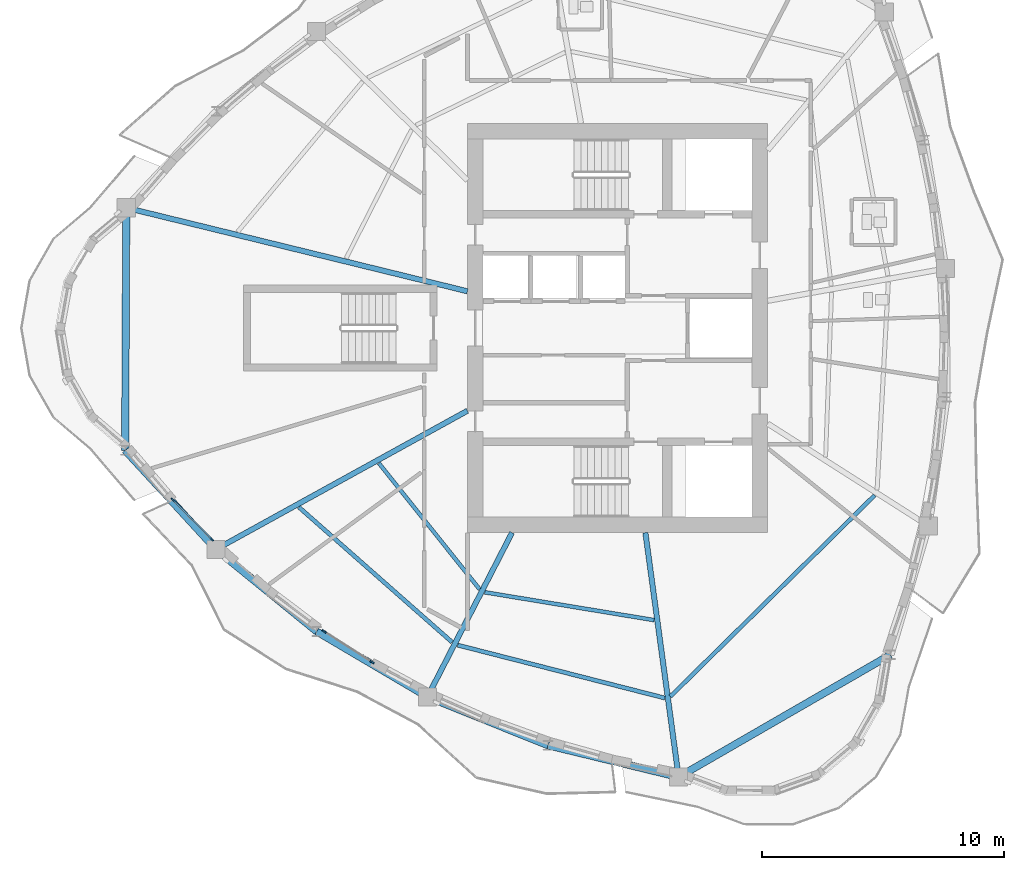
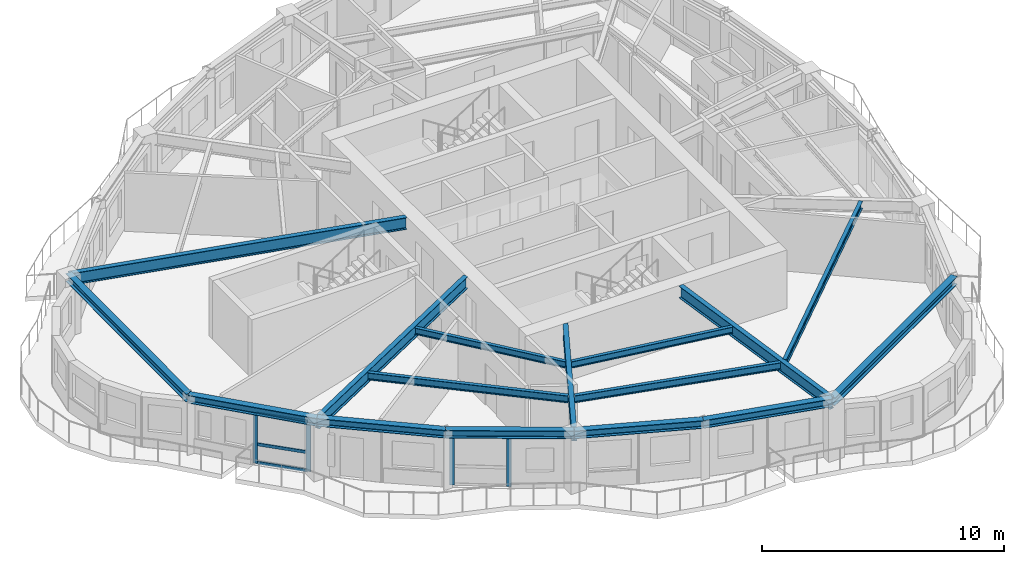
# One storey, part 2 of 13: 16 beams, 7 members, 2 elements without a shape of their own.
"""IFC4 building model written with IfcOpenShell, lengths in metres."""

from ifc_helpers import new_model, si_unit, direction, frame, origin, origin_2d, place, context, subcontext, project, spatial, rectangle, i_section, extrude, source, transform, mapped, material, layer, layer_set, material_profile, profile_set, type_object, element, aggregate, save


model = new_model("IFC4")

# Units and contexts
model_context = context("Model", 3, precision=1e-05, world=origin(), true_north=direction((0.0, 1.0)))
body_context = subcontext(model_context, "Body", "Model", "MODEL_VIEW")
ifc_project = project(units=[si_unit("LENGTHUNIT", "METRE"), si_unit("AREAUNIT", "SQUARE_METRE"), si_unit("VOLUMEUNIT", "CUBIC_METRE"), si_unit("PLANEANGLEUNIT", "RADIAN"), si_unit("MASSUNIT", "GRAM", prefix="KILO")], contexts=[model_context])

# Site, building, storey
site_placement = place(None, origin())
site = spatial("IfcSite", under=ifc_project, at=site_placement, CompositionType="ELEMENT")
building_placement = place(site_placement, origin())
building = spatial("IfcBuilding", under=site, at=building_placement, Name="Qafzar Sky-Pleat Residences", CompositionType="ELEMENT")
storey_placement = place(building_placement, frame((0.0, 0.0, 133.0)))
storey = spatial("IfcBuildingStorey", under=building, at=storey_placement, Name="L39", CompositionType="ELEMENT", Elevation=133.0)

# Beams
ifc_material_1 = material(Name="Steel S355", Category="steel")
ifc_material_profile_1 = material_profile(ifc_material_1, i_section(OverallWidth=0.300048828125, OverallDepth=0.39990234375, WebThickness=0.013427734375, FlangeThickness=0.02392578125, FilletRadius=0.027099609375, at=origin_2d()), Name="HEB 400")
ifc_profile_set_1 = profile_set([ifc_material_profile_1], Name="Steel S355")
beam_type_1 = type_object("IfcBeamType", Name="BM-SPAN-HEB400", PredefinedType="SPANDREL", material=ifc_profile_set_1)
shared_shape_1 = source(origin(), body_context, "Body", "SweptSolid", [
    extrude(i_section(OverallWidth=0.300048828125, OverallDepth=0.39990234375, WebThickness=0.013427734375, FlangeThickness=0.02392578125, FilletRadius=0.027099609375, at=origin_2d()), origin(), (0.0, 0.0, 1.0), 10.017822265625),
])
beam_1_placement = place(storey_placement, frame((10.064208984375, 30.967529296875, 2.748046875), z_axis=(-0.00482532827, -0.999988358036, 0.0), x_axis=(0.999988358036, -0.00482532827, 0.0)))
element("IfcBeam", 1, at=beam_1_placement, inside=storey, type_object=beam_type_1, Name="L39 Perimeter Spandrel Beam 1", PredefinedType="SPANDREL", context=body_context, shape_type="MappedRepresentation", body=[
    mapped(shared_shape_1, transform((0.0, 0.0, 0.0), x_axis=(1.0, 0.0, 0.0), y_axis=(0.0, 1.0, 0.0), z_axis=(0.0, 0.0, 1.0), scale=1.0)),
])
shared_shape_2 = source(origin(), body_context, "Body", "SweptSolid", [
    extrude(i_section(OverallWidth=0.300048828125, OverallDepth=0.39990234375, WebThickness=0.013427734375, FlangeThickness=0.02392578125, FilletRadius=0.027099609375, at=origin_2d()), origin(), (0.0, 0.0, 1.0), 5.548095703125),
])
beam_2_placement = place(storey_placement, frame((10.015869140625, 20.94970703125, 2.748046875), z_axis=(0.676115086254, -0.736796030214, 0.0), x_axis=(0.736796030214, 0.676115086254, 0.0)))
element("IfcBeam", 2, at=beam_2_placement, inside=storey, type_object=beam_type_1, Name="L39 Perimeter Spandrel Beam 2", PredefinedType="SPANDREL", context=body_context, shape_type="MappedRepresentation", body=[
    mapped(shared_shape_2, transform((0.0, 0.0, 0.0), x_axis=(1.0, 0.0, 0.0), y_axis=(0.0, 1.0, 0.0), z_axis=(0.0, 0.0, 1.0), scale=1.0)),
])
shared_shape_3 = source(origin(), body_context, "Body", "SweptSolid", [
    extrude(i_section(OverallWidth=0.300048828125, OverallDepth=0.39990234375, WebThickness=0.013427734375, FlangeThickness=0.02392578125, FilletRadius=0.027099609375, at=origin_2d()), origin(), (0.0, 0.0, 1.0), 5.36962890625),
])
beam_3_placement = place(storey_placement, frame((13.76708984375, 16.86181640625, 2.748046875), z_axis=(0.775001557848, -0.63195932253, 0.0), x_axis=(0.63195932253, 0.775001557848, 0.0)))
element("IfcBeam", 3, at=beam_3_placement, inside=storey, type_object=beam_type_1, Name="L39 Perimeter Spandrel Beam 3", PredefinedType="SPANDREL", context=body_context, shape_type="MappedRepresentation", body=[
    mapped(shared_shape_3, transform((0.0, 0.0, 0.0), x_axis=(1.0, 0.0, 0.0), y_axis=(0.0, 1.0, 0.0), z_axis=(0.0, 0.0, 1.0), scale=1.0)),
])
shared_shape_4 = source(origin(), body_context, "Body", "SweptSolid", [
    extrude(i_section(OverallWidth=0.300048828125, OverallDepth=0.39990234375, WebThickness=0.013427734375, FlangeThickness=0.02392578125, FilletRadius=0.027099609375, at=origin_2d()), origin(), (0.0, 0.0, 1.0), 5.30810546875),
])
beam_4_placement = place(storey_placement, frame((17.928466796875, 13.468505859375, 2.748046875), z_axis=(0.861171817652, -0.508313978247, 0.0), x_axis=(0.508313978247, 0.861171817652, 0.0)))
element("IfcBeam", 4, at=beam_4_placement, inside=storey, type_object=beam_type_1, Name="L39 Perimeter Spandrel Beam 4", PredefinedType="SPANDREL", context=body_context, shape_type="MappedRepresentation", body=[
    mapped(shared_shape_4, transform((0.0, 0.0, 0.0), x_axis=(1.0, 0.0, 0.0), y_axis=(0.0, 1.0, 0.0), z_axis=(0.0, 0.0, 1.0), scale=1.0)),
])
shared_shape_5 = source(origin(), body_context, "Body", "SweptSolid", [
    extrude(i_section(OverallWidth=0.300048828125, OverallDepth=0.39990234375, WebThickness=0.013427734375, FlangeThickness=0.02392578125, FilletRadius=0.027099609375, at=origin_2d()), origin(), (0.0, 0.0, 1.0), 5.369384765625),
])
beam_5_placement = place(storey_placement, frame((22.499755859375, 10.770263671875, 2.748046875), z_axis=(0.927785221824, -0.373114703763, 0.0), x_axis=(0.373114703763, 0.927785221824, 0.0)))
element("IfcBeam", 5, at=beam_5_placement, inside=storey, type_object=beam_type_1, Name="L39 Perimeter Spandrel Beam 5", PredefinedType="SPANDREL", context=body_context, shape_type="MappedRepresentation", body=[
    mapped(shared_shape_5, transform((0.0, 0.0, 0.0), x_axis=(1.0, 0.0, 0.0), y_axis=(0.0, 1.0, 0.0), z_axis=(0.0, 0.0, 1.0), scale=1.0)),
])
shared_shape_6 = source(origin(), body_context, "Body", "SweptSolid", [
    extrude(i_section(OverallWidth=0.300048828125, OverallDepth=0.39990234375, WebThickness=0.013427734375, FlangeThickness=0.02392578125, FilletRadius=0.027099609375, at=origin_2d()), origin(), (0.0, 0.0, 1.0), 5.54833984375),
])
beam_6_placement = place(storey_placement, frame((27.4814453125, 8.766845703125, 2.748046875), z_axis=(0.97178901186, -0.235851895113, 0.0), x_axis=(0.235851895113, 0.97178901186, 0.0)))
element("IfcBeam", 6, at=beam_6_placement, inside=storey, type_object=beam_type_1, Name="L39 Perimeter Spandrel Beam 6", PredefinedType="SPANDREL", context=body_context, shape_type="MappedRepresentation", body=[
    mapped(shared_shape_6, transform((0.0, 0.0, 0.0), x_axis=(1.0, 0.0, 0.0), y_axis=(0.0, 1.0, 0.0), z_axis=(0.0, 0.0, 1.0), scale=1.0)),
])
shared_shape_7 = source(origin(), body_context, "Body", "SweptSolid", [
    extrude(i_section(OverallWidth=0.300048828125, OverallDepth=0.39990234375, WebThickness=0.013427734375, FlangeThickness=0.02392578125, FilletRadius=0.027099609375, at=origin_2d()), origin(), (0.0, 0.0, 1.0), 10.10107421875),
])
beam_7_placement = place(storey_placement, frame((32.873291015625, 7.458251953125, 2.748046875), z_axis=(0.866025796203, 0.499999320311, 0.0), x_axis=(-0.499999320311, 0.866025796203, 0.0)))
element("IfcBeam", 7, at=beam_7_placement, inside=storey, type_object=beam_type_1, Name="L39 Perimeter Spandrel Beam 7", PredefinedType="SPANDREL", context=body_context, shape_type="MappedRepresentation", body=[
    mapped(shared_shape_7, transform((0.0, 0.0, 0.0), x_axis=(1.0, 0.0, 0.0), y_axis=(0.0, 1.0, 0.0), z_axis=(0.0, 0.0, 1.0), scale=1.0)),
])
ifc_material_profile_2 = material_profile(ifc_material_1, i_section(OverallWidth=0.219970703125, OverallDepth=0.60009765625, WebThickness=0.011962890625, FlangeThickness=0.01904296875, FilletRadius=0.02392578125, at=origin_2d()), Name="IPE 600")
ifc_profile_set_2 = profile_set([ifc_material_profile_2], Name="Steel S355")
beam_type_2 = type_object("IfcBeamType", Name="BM-SEC-IPE600", PredefinedType="BEAM", material=ifc_profile_set_2)
shared_shape_8 = source(origin(), body_context, "Body", "SweptSolid", [
    extrude(i_section(OverallWidth=0.219970703125, OverallDepth=0.60009765625, WebThickness=0.011962890625, FlangeThickness=0.01904296875, FilletRadius=0.02392578125, at=origin_2d()), origin(), (0.0, 0.0, 1.0), 14.501953125),
])
beam_8_placement = place(storey_placement, frame((10.064208984375, 30.967529296875, 2.64794921875), z_axis=(0.971302709207, -0.2378466882, 0.0), x_axis=(0.2378466882, 0.971302709207, 0.0)))
element("IfcBeam", 8, at=beam_8_placement, inside=storey, type_object=beam_type_2, Name="L39 Radial Floor Girder 1", PredefinedType="BEAM", context=body_context, shape_type="MappedRepresentation", body=[
    mapped(shared_shape_8, transform((0.0, 0.0, 0.0), x_axis=(1.0, 0.0, 0.0), y_axis=(0.0, 1.0, 0.0), z_axis=(0.0, 0.0, 1.0), scale=1.0)),
])
shared_shape_9 = source(origin(), body_context, "Body", "SweptSolid", [
    extrude(i_section(OverallWidth=0.219970703125, OverallDepth=0.60009765625, WebThickness=0.011962890625, FlangeThickness=0.01904296875, FilletRadius=0.02392578125, at=origin_2d()), origin(), (0.0, 0.0, 1.0), 11.85498046875),
])
beam_9_placement = place(storey_placement, frame((13.76708984375, 16.86181640625, 2.64794921875), z_axis=(0.875819070007, 0.482639572157, 0.0), x_axis=(-0.482639572157, 0.875819070007, 0.0)))
element("IfcBeam", 9, at=beam_9_placement, inside=storey, type_object=beam_type_2, Name="L39 Radial Floor Girder 3", PredefinedType="BEAM", context=body_context, shape_type="MappedRepresentation", body=[
    mapped(shared_shape_9, transform((0.0, 0.0, 0.0), x_axis=(1.0, 0.0, 0.0), y_axis=(0.0, 1.0, 0.0), z_axis=(0.0, 0.0, 1.0), scale=1.0)),
])
shared_shape_10 = source(origin(), body_context, "Body", "SweptSolid", [
    extrude(i_section(OverallWidth=0.219970703125, OverallDepth=0.60009765625, WebThickness=0.011962890625, FlangeThickness=0.01904296875, FilletRadius=0.02392578125, at=origin_2d()), origin(), (0.0, 0.0, 1.0), 7.62744140625),
])
beam_10_placement = place(storey_placement, frame((22.499755859375, 10.770263671875, 2.64794921875), z_axis=(0.458165071573, 0.888867125723, 0.0), x_axis=(-0.888867125723, 0.458165071573, 0.0)))
element("IfcBeam", 10, at=beam_10_placement, inside=storey, type_object=beam_type_2, Name="L39 Radial Floor Girder 5", PredefinedType="BEAM", context=body_context, shape_type="MappedRepresentation", body=[
    mapped(shared_shape_10, transform((0.0, 0.0, 0.0), x_axis=(1.0, 0.0, 0.0), y_axis=(0.0, 1.0, 0.0), z_axis=(0.0, 0.0, 1.0), scale=1.0)),
])
shared_shape_11 = source(origin(), body_context, "Body", "SweptSolid", [
    extrude(i_section(OverallWidth=0.219970703125, OverallDepth=0.60009765625, WebThickness=0.011962890625, FlangeThickness=0.01904296875, FilletRadius=0.02392578125, at=origin_2d()), origin(), (0.0, 0.0, 1.0), 10.184814453125),
])
beam_11_placement = place(storey_placement, frame((32.873291015625, 7.458251953125, 2.64794921875), z_axis=(-0.134837216246, 0.990867763687, 0.0), x_axis=(-0.990867763687, -0.134837216246, 0.0)))
element("IfcBeam", 11, at=beam_11_placement, inside=storey, type_object=beam_type_2, Name="L39 Radial Floor Girder 7", PredefinedType="BEAM", context=body_context, shape_type="MappedRepresentation", body=[
    mapped(shared_shape_11, transform((0.0, 0.0, 0.0), x_axis=(1.0, 0.0, 0.0), y_axis=(0.0, 1.0, 0.0), z_axis=(0.0, 0.0, 1.0), scale=1.0)),
])
ifc_material_profile_3 = material_profile(ifc_material_1, i_section(OverallWidth=0.169921875, OverallDepth=0.360107421875, WebThickness=0.008056640625, FlangeThickness=0.0126953125, FilletRadius=0.01806640625, at=origin_2d()), Name="IPE 360")
ifc_profile_set_3 = profile_set([ifc_material_profile_3], Name="Steel S355")
beam_type_3 = type_object("IfcBeamType", Name="BM-JST-IPE360", PredefinedType="JOIST", material=ifc_profile_set_3)
shared_shape_12 = source(origin(), body_context, "Body", "SweptSolid", [
    extrude(i_section(OverallWidth=0.169921875, OverallDepth=0.360107421875, WebThickness=0.008056640625, FlangeThickness=0.0126953125, FilletRadius=0.01806640625, at=origin_2d()), origin(), (0.0, 0.0, 1.0), 8.431640625),
])
beam_12_placement = place(storey_placement, frame((17.19091796875, 18.603515625, 2.76806640625), z_axis=(0.750263581122, -0.661138834771, 0.0), x_axis=(0.661138834771, 0.750263581122, 0.0)))
element("IfcBeam", 12, at=beam_12_placement, inside=storey, type_object=beam_type_3, Name="L39 Outer Secondary Floor Joist 2", PredefinedType="JOIST", context=body_context, shape_type="MappedRepresentation", body=[
    mapped(shared_shape_12, transform((0.0, 0.0, 0.0), x_axis=(1.0, 0.0, 0.0), y_axis=(0.0, 1.0, 0.0), z_axis=(0.0, 0.0, 1.0), scale=1.0)),
])
shared_shape_13 = source(origin(), body_context, "Body", "SweptSolid", [
    extrude(i_section(OverallWidth=0.169921875, OverallDepth=0.360107421875, WebThickness=0.008056640625, FlangeThickness=0.0126953125, FilletRadius=0.01806640625, at=origin_2d()), origin(), (0.0, 0.0, 1.0), 8.828857421875),
])
beam_13_placement = place(storey_placement, frame((23.748779296875, 12.90625, 2.76806640625), z_axis=(0.968883714803, -0.247516357418, 0.0), x_axis=(0.247516357418, 0.968883714803, 0.0)))
element("IfcBeam", 13, at=beam_13_placement, inside=storey, type_object=beam_type_3, Name="L39 Outer Secondary Floor Joist 3", PredefinedType="JOIST", context=body_context, shape_type="MappedRepresentation", body=[
    mapped(shared_shape_13, transform((0.0, 0.0, 0.0), x_axis=(1.0, 0.0, 0.0), y_axis=(0.0, 1.0, 0.0), z_axis=(0.0, 0.0, 1.0), scale=1.0)),
])
shared_shape_14 = source(origin(), body_context, "Body", "SweptSolid", [
    extrude(i_section(OverallWidth=0.169921875, OverallDepth=0.360107421875, WebThickness=0.008056640625, FlangeThickness=0.0126953125, FilletRadius=0.01806640625, at=origin_2d()), origin(), (0.0, 0.0, 1.0), 11.83837890625),
])
beam_14_placement = place(storey_placement, frame((32.52978515625, 10.7822265625, 2.76806640625), z_axis=(0.712499561972, 0.701672554822, 0.0), x_axis=(-0.701672554822, 0.712499561972, 0.0)))
element("IfcBeam", 14, at=beam_14_placement, inside=storey, type_object=beam_type_3, Name="L39 Outer Secondary Floor Joist 4", PredefinedType="JOIST", context=body_context, shape_type="MappedRepresentation", body=[
    mapped(shared_shape_14, transform((0.0, 0.0, 0.0), x_axis=(1.0, 0.0, 0.0), y_axis=(0.0, 1.0, 0.0), z_axis=(0.0, 0.0, 1.0), scale=1.0)),
])
ifc_material_profile_4 = material_profile(ifc_material_1, i_section(OverallWidth=0.159912109375, OverallDepth=0.330078125, WebThickness=0.007568359375, FlangeThickness=0.011474609375, FilletRadius=0.01806640625, at=origin_2d()), Name="IPE 330")
ifc_profile_set_4 = profile_set([ifc_material_profile_4], Name="Steel S355")
beam_type_4 = type_object("IfcBeamType", Name="BM-JST-IPE330", PredefinedType="JOIST", material=ifc_profile_set_4)
shared_shape_15 = source(origin(), body_context, "Body", "SweptSolid", [
    extrude(i_section(OverallWidth=0.159912109375, OverallDepth=0.330078125, WebThickness=0.007568359375, FlangeThickness=0.011474609375, FilletRadius=0.01806640625, at=origin_2d()), origin(), (0.0, 0.0, 1.0), 6.6591796875),
])
beam_15_placement = place(storey_placement, frame((20.496337890625, 20.418212890625, 2.782958984375), z_axis=(0.624059963156, -0.781376453693, 0.0), x_axis=(0.781376453693, 0.624059963156, 0.0)))
element("IfcBeam", 15, at=beam_15_placement, inside=storey, type_object=beam_type_4, Name="L39 Inner Secondary Floor Joist 2", PredefinedType="JOIST", context=body_context, shape_type="MappedRepresentation", body=[
    mapped(shared_shape_15, transform((0.0, 0.0, 0.0), x_axis=(1.0, 0.0, 0.0), y_axis=(0.0, 1.0, 0.0), z_axis=(0.0, 0.0, 1.0), scale=1.0)),
])
shared_shape_16 = source(origin(), body_context, "Body", "SweptSolid", [
    extrude(i_section(OverallWidth=0.159912109375, OverallDepth=0.330078125, WebThickness=0.007568359375, FlangeThickness=0.011474609375, FilletRadius=0.01806640625, at=origin_2d()), origin(), (0.0, 0.0, 1.0), 7.085205078125),
])
beam_16_placement = place(storey_placement, frame((24.86962890625, 15.08740234375, 2.782958984375), z_axis=(0.98677033881, -0.162124330206, 0.0), x_axis=(0.162124330206, 0.98677033881, 0.0)))
element("IfcBeam", 16, at=beam_16_placement, inside=storey, type_object=beam_type_4, Name="L39 Inner Secondary Floor Joist 3", PredefinedType="JOIST", context=body_context, shape_type="MappedRepresentation", body=[
    mapped(shared_shape_16, transform((0.0, 0.0, 0.0), x_axis=(1.0, 0.0, 0.0), y_axis=(0.0, 1.0, 0.0), z_axis=(0.0, 0.0, 1.0), scale=1.0)),
])

# Curtain wall, members
ifc_material_2 = material(Name="Anodised bronze aluminium framing", Category="aluminium")
ifc_layer = layer(ifc_material_2, 0.199951171875)
ifc_layer_set = layer_set([ifc_layer], Name="Anodised bronze aluminium framing")
curtain_wall_type = type_object("IfcCurtainWallType", Name="CW-SYS-04", PredefinedType="NOTDEFINED", material=ifc_layer_set)
curtain_wall_1_placement = place(storey_placement, origin())
curtain_wall_1 = element("IfcCurtainWall", 17, at=curtain_wall_1_placement, inside=storey, type_object=curtain_wall_type, Name="L39 CW-04 Curtain Wall CW-L39-WG-05", PredefinedType="NOTDEFINED")
ifc_material_3 = material(Name="Anodised bronze aluminium", Category="aluminium")
ifc_material_profile_5 = material_profile(ifc_material_3, rectangle(XDim=0.06494140625, YDim=0.199951171875, at=origin_2d()), Name="ALU MULLION 65x200")
ifc_profile_set_5 = profile_set([ifc_material_profile_5], Name="Anodised bronze aluminium")
member_type_1 = type_object("IfcMemberType", Name="CWM-04", PredefinedType="MULLION", material=ifc_profile_set_5)
shared_shape_17 = source(origin(), body_context, "Body", "SweptSolid", [
    extrude(rectangle(XDim=0.06494140625, YDim=0.199951171875, at=origin_2d()), origin(), (0.0, 0.0, 1.0), 2.530029296875),
])
member_1_placement = place(storey_placement, frame((11.998291015625, 18.900634765625, 0.0), z_axis=(0.0, 0.0, 1.0), x_axis=(0.712618282511, 0.701551981988, 0.0)))
member_1 = element("IfcMember", 18, at=member_1_placement, type_object=member_type_1, Name="CW-04 mullion 1", PredefinedType="MULLION", context=body_context, shape_type="MappedRepresentation", body=[
    mapped(shared_shape_17, transform((0.0, 0.0, 0.0), x_axis=(1.0, 0.0, 0.0), y_axis=(0.0, 1.0, 0.0), z_axis=(0.0, 0.0, 1.0), scale=1.0)),
])
member_2_placement = place(storey_placement, frame((13.588134765625, 17.28564453125, 0.0), z_axis=(0.0, 0.0, 1.0), x_axis=(0.712618282511, 0.701551981988, 0.0)))
member_2 = element("IfcMember", 19, at=member_2_placement, type_object=member_type_1, Name="CW-04 mullion 2", PredefinedType="MULLION", context=body_context, shape_type="MappedRepresentation", body=[
    mapped(shared_shape_17, transform((0.0, 0.0, 0.0), x_axis=(1.0, 0.0, 0.0), y_axis=(0.0, 1.0, 0.0), z_axis=(0.0, 0.0, 1.0), scale=1.0)),
])

curtain_wall_2_placement = place(storey_placement, origin())
curtain_wall_2 = element("IfcCurtainWall", 20, at=curtain_wall_2_placement, inside=storey, type_object=curtain_wall_type, Name="L39 CW-04 Curtain Wall CW-L39-WG-06", PredefinedType="NOTDEFINED")
member_3_placement = place(storey_placement, frame((18.233154296875, 13.474853515625, 0.0), z_axis=(0.0, 0.0, 1.0), x_axis=(0.540655064267, 0.841244376791, 0.0)))
member_3 = element("IfcMember", 21, at=member_3_placement, type_object=member_type_1, Name="CW-04 mullion 1", PredefinedType="MULLION", context=body_context, shape_type="MappedRepresentation", body=[
    mapped(shared_shape_17, transform((0.0, 0.0, 0.0), x_axis=(1.0, 0.0, 0.0), y_axis=(0.0, 1.0, 0.0), z_axis=(0.0, 0.0, 1.0), scale=1.0)),
])
member_4_placement = place(storey_placement, frame((20.21044921875, 12.203857421875, 0.0), z_axis=(0.0, 0.0, 1.0), x_axis=(0.540655064267, 0.841244376791, 0.0)))
member_4 = element("IfcMember", 22, at=member_4_placement, type_object=member_type_1, Name="CW-04 mullion 2", PredefinedType="MULLION", context=body_context, shape_type="MappedRepresentation", body=[
    mapped(shared_shape_17, transform((0.0, 0.0, 0.0), x_axis=(1.0, 0.0, 0.0), y_axis=(0.0, 1.0, 0.0), z_axis=(0.0, 0.0, 1.0), scale=1.0)),
])
aggregate(curtain_wall_2, [member_3, member_4])

# Member
ifc_material_profile_6 = material_profile(ifc_material_3, rectangle(XDim=0.06494140625, YDim=0.14990234375, at=origin_2d()), Name="ALU TRANSOM 65x150")
ifc_profile_set_6 = profile_set([ifc_material_profile_6], Name="Anodised bronze aluminium")
member_type_2 = type_object("IfcMemberType", Name="CWT-04", PredefinedType="USERDEFINED", material=ifc_profile_set_6)
shared_shape_18 = source(origin(), body_context, "Body", "SweptSolid", [
    extrude(rectangle(XDim=0.06494140625, YDim=0.14990234375, at=origin_2d()), origin(), (0.0, 0.0, 1.0), 2.201416015625),
])
member_5_placement = place(storey_placement, frame((12.02099609375, 18.877685546875, 0.032470703125), z_axis=(0.70154014501, -0.712629935478, 0.0), x_axis=(0.712629935478, 0.70154014501, 0.0)))
member_5 = element("IfcMember", 23, at=member_5_placement, type_object=member_type_2, Name="CW-04 transom 1.1", ObjectType="TRANSOM", PredefinedType="USERDEFINED", context=body_context, shape_type="MappedRepresentation", body=[
    mapped(shared_shape_18, transform((0.0, 0.0, 0.0), x_axis=(1.0, 0.0, 0.0), y_axis=(0.0, 1.0, 0.0), z_axis=(0.0, 0.0, 1.0), scale=1.0)),
])

member_6_placement = place(storey_placement, frame((12.02099609375, 18.877685546875, 0.96142578125), z_axis=(0.70154014501, -0.712629935478, 0.0), x_axis=(0.712629935478, 0.70154014501, 0.0)))
member_6 = element("IfcMember", 24, at=member_6_placement, type_object=member_type_2, Name="CW-04 transom 1.2", ObjectType="TRANSOM", PredefinedType="USERDEFINED", context=body_context, shape_type="MappedRepresentation", body=[
    mapped(shared_shape_18, transform((0.0, 0.0, 0.0), x_axis=(1.0, 0.0, 0.0), y_axis=(0.0, 1.0, 0.0), z_axis=(0.0, 0.0, 1.0), scale=1.0)),
])

member_7_placement = place(storey_placement, frame((12.02099609375, 18.877685546875, 2.49755859375), z_axis=(0.70154014501, -0.712629935478, 0.0), x_axis=(0.712629935478, 0.70154014501, 0.0)))
member_7 = element("IfcMember", 25, at=member_7_placement, type_object=member_type_2, Name="CW-04 transom 1.3", ObjectType="TRANSOM", PredefinedType="USERDEFINED", context=body_context, shape_type="MappedRepresentation", body=[
    mapped(shared_shape_18, transform((0.0, 0.0, 0.0), x_axis=(1.0, 0.0, 0.0), y_axis=(0.0, 1.0, 0.0), z_axis=(0.0, 0.0, 1.0), scale=1.0)),
])

aggregate(curtain_wall_1, [member_1, member_2, member_5, member_6, member_7])

save(model, "model.ifc")
